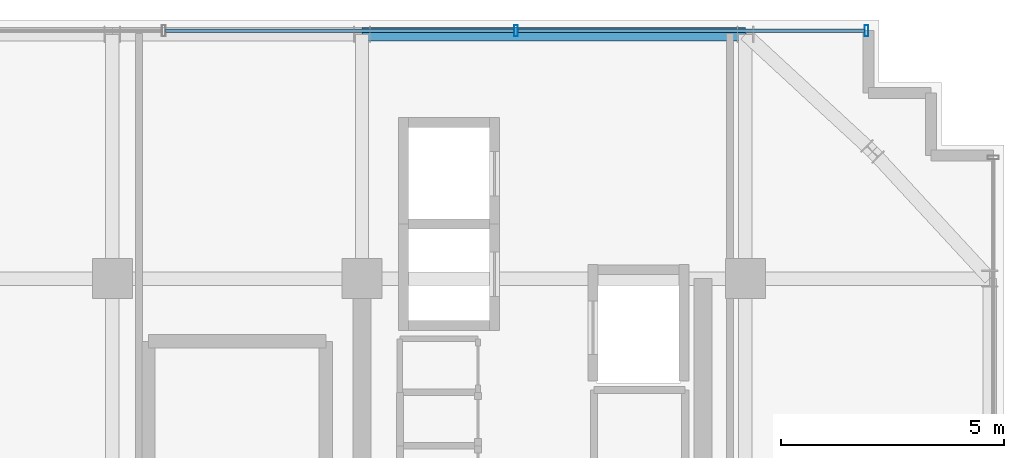
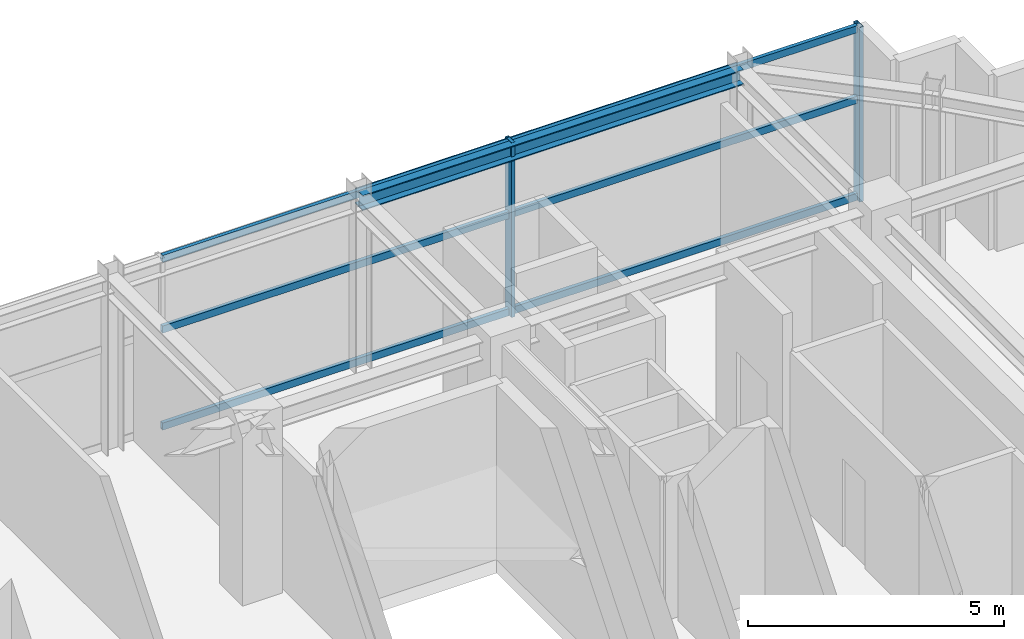
# One storey, part 17 of 25: 8 members, 1 beam, 1 element without a shape of its own.
"""IFC4 building model written with IfcOpenShell, lengths in metres."""

from ifc_helpers import new_model, si_unit, direction, frame, origin, origin_2d, place, context, subcontext, project, spatial, hollow_rectangle, i_section, extrude, source, transform, mapped, material, material_profile, profile_set, type_object, element, aggregate, save


model = new_model("IFC4")

# Units and contexts
model_context = context("Model", 3, precision=1e-05, world=origin(), true_north=direction((0.0, 1.0)))
body_context = subcontext(model_context, "Body", "Model", "MODEL_VIEW")
ifc_project = project(units=[si_unit("LENGTHUNIT", "METRE"), si_unit("AREAUNIT", "SQUARE_METRE"), si_unit("VOLUMEUNIT", "CUBIC_METRE"), si_unit("PLANEANGLEUNIT", "RADIAN"), si_unit("MASSUNIT", "GRAM", prefix="KILO")], contexts=[model_context])

# Site, building, storey
site_placement = place(None, origin())
site = spatial("IfcSite", under=ifc_project, at=site_placement, CompositionType="ELEMENT")
building_placement = place(site_placement, origin())
building = spatial("IfcBuilding", under=site, at=building_placement, Name="Nahalor Promenade Grand Hotel", CompositionType="ELEMENT")
storey_placement = place(building_placement, frame((0.0, 0.0, 338.550048828125)))
storey = spatial("IfcBuildingStorey", under=building, at=storey_placement, Name="L87", CompositionType="ELEMENT", Elevation=338.550048828125)

# Beam
ifc_material_1 = material(Name="Steel S355JR", Category="steel")
ifc_material_profile_1 = material_profile(ifc_material_1, i_section(OverallWidth=0.3, OverallDepth=0.36, WebThickness=0.0125, FlangeThickness=0.0225, at=origin_2d()), Name="HEB 360")
ifc_profile_set_1 = profile_set([ifc_material_profile_1], Name="Steel S355JR")
beam_type = type_object("IfcBeamType", Name="Beam-Spandrel-HEB360", PredefinedType="SPANDREL", material=ifc_profile_set_1)
shared_shape_1 = source(origin(), body_context, "Body", "SweptSolid", [
    extrude(i_section(OverallWidth=0.3, OverallDepth=0.36, WebThickness=0.0125, FlangeThickness=0.0225, at=origin_2d()), origin(), (0.0, 0.0, 1.0), 8.60009765625),
])
beam_placement = place(storey_placement, frame((8.39990234375, 22.47998046875, 3.989990234375), z_axis=(1.0, 0.0, 0.0), x_axis=(0.0, 1.0, 0.0)))
element("IfcBeam", 1, at=beam_placement, inside=storey, type_object=beam_type, Name="BM-L87-SP-N-4", PredefinedType="SPANDREL", context=body_context, shape_type="MappedRepresentation", body=[
    mapped(shared_shape_1, transform((0.0, 0.0, 0.0), scale=1.0)),
])

# Curtain wall, members
ifc_material_2 = material(Name="Anodised Bronze Aluminium EN AW-6063 T6", Category="aluminium")
curtain_wall_type = type_object("IfcCurtainWallType", Name="CW5 Sky-Lobby & Observation Panoramic Curtain Wall", PredefinedType="USERDEFINED", material=ifc_material_2)
curtain_wall_placement = place(storey_placement, origin())
curtain_wall = element("IfcCurtainWall", 2, at=curtain_wall_placement, inside=storey, type_object=curtain_wall_type, Name="L87 Curtain Wall CW-L87-N-1", ObjectType="UNITISED_CURTAIN_WALL", PredefinedType="USERDEFINED")
ifc_material_profile_2 = material_profile(ifc_material_2, hollow_rectangle(XDim=0.085, YDim=0.25, WallThickness=0.006, at=origin_2d()), Name="CWM 85x250x6")
ifc_profile_set_2 = profile_set([ifc_material_profile_2], Name="Anodised Bronze Aluminium EN AW-6063 T6")
member_type_1 = type_object("IfcMemberType", Name="CWM5 Panoramic Deep Mullion 85x250", PredefinedType="MULLION", material=ifc_profile_set_2)
shared_shape_2 = source(origin(), body_context, "Body", "SweptSolid", [
    extrude(hollow_rectangle(XDim=0.085, YDim=0.25, WallThickness=0.006, at=origin_2d()), origin(), (0.0, 0.0, 1.0), 4.169921875),
])
member_1_placement = place(storey_placement, frame((11.85595703125, 22.56005859375, 0.0), z_axis=(0.0, 0.0, 1.0), x_axis=(1.0, 0.0, 0.0)))
member_1 = element("IfcMember", 3, at=member_1_placement, type_object=member_type_1, Name="CW-L87-N-1 Mullion 4", PredefinedType="MULLION", context=body_context, shape_type="MappedRepresentation", body=[
    mapped(shared_shape_2, transform((0.0, 0.0, 0.0), scale=1.0)),
])
member_2_placement = place(storey_placement, frame((19.717529296875, 22.56005859375, 0.0), z_axis=(0.0, 0.0, 1.0), x_axis=(1.0, 0.0, 0.0)))
member_2 = element("IfcMember", 4, at=member_2_placement, type_object=member_type_1, Name="CW-L87-N-1 Mullion 5", PredefinedType="MULLION", context=body_context, shape_type="MappedRepresentation", body=[
    mapped(shared_shape_2, transform((0.0, 0.0, 0.0), scale=1.0)),
])
ifc_material_profile_3 = material_profile(ifc_material_2, hollow_rectangle(XDim=0.085, YDim=0.17, WallThickness=0.005, at=origin_2d()), Name="CWT 85x170x5")
ifc_profile_set_3 = profile_set([ifc_material_profile_3], Name="Anodised Bronze Aluminium EN AW-6063 T6")
member_type_2 = type_object("IfcMemberType", Name="CWT5 Panoramic Transom 85x170", PredefinedType="USERDEFINED", material=ifc_profile_set_3)
shared_shape_3 = source(origin(), body_context, "Body", "SweptSolid", [
    extrude(hollow_rectangle(XDim=0.085, YDim=0.17, WallThickness=0.005, at=origin_2d()), origin(), (0.0, 0.0, 1.0), 7.776611328125),
])
member_3_placement = place(storey_placement, frame((11.8984375, 22.56005859375, 0.0849609375), z_axis=(1.0, 0.0, 0.0), x_axis=(0.0, 1.0, 0.0)))
member_3 = element("IfcMember", 5, at=member_3_placement, type_object=member_type_2, Name="CW-L87-N-1 Transom 4-0", ObjectType="TRANSOM", PredefinedType="USERDEFINED", context=body_context, shape_type="MappedRepresentation", body=[
    mapped(shared_shape_3, transform((0.0, 0.0, 0.0), scale=1.0)),
])
member_4_placement = place(storey_placement, frame((11.8984375, 22.56005859375, 2.39990234375), z_axis=(1.0, 0.0, 0.0), x_axis=(0.0, 1.0, 0.0)))
member_4 = element("IfcMember", 6, at=member_4_placement, type_object=member_type_2, Name="CW-L87-N-1 Transom 4-1", ObjectType="TRANSOM", PredefinedType="USERDEFINED", context=body_context, shape_type="MappedRepresentation", body=[
    mapped(shared_shape_3, transform((0.0, 0.0, 0.0), scale=1.0)),
])
member_5_placement = place(storey_placement, frame((11.8984375, 22.56005859375, 4.0849609375), z_axis=(1.0, 0.0, 0.0), x_axis=(0.0, 1.0, 0.0)))
member_5 = element("IfcMember", 7, at=member_5_placement, type_object=member_type_2, Name="CW-L87-N-1 Transom 4-2", ObjectType="TRANSOM", PredefinedType="USERDEFINED", context=body_context, shape_type="MappedRepresentation", body=[
    mapped(shared_shape_3, transform((0.0, 0.0, 0.0), scale=1.0)),
])
shared_shape_4 = source(origin(), body_context, "Body", "SweptSolid", [
    extrude(hollow_rectangle(XDim=0.085, YDim=0.17, WallThickness=0.005, at=origin_2d()), origin(), (0.0, 0.0, 1.0), 7.819091796875),
])
member_6_placement = place(storey_placement, frame((3.994384765625, 22.56005859375, 0.0849609375), z_axis=(1.0, 0.0, 0.0), x_axis=(0.0, 1.0, 0.0)))
member_6 = element("IfcMember", 8, at=member_6_placement, type_object=member_type_2, Name="CW-L87-N-1 Transom 3-0", ObjectType="TRANSOM", PredefinedType="USERDEFINED", context=body_context, shape_type="MappedRepresentation", body=[
    mapped(shared_shape_4, transform((0.0, 0.0, 0.0), scale=1.0)),
])
member_7_placement = place(storey_placement, frame((3.994384765625, 22.56005859375, 2.39990234375), z_axis=(1.0, 0.0, 0.0), x_axis=(0.0, 1.0, 0.0)))
member_7 = element("IfcMember", 9, at=member_7_placement, type_object=member_type_2, Name="CW-L87-N-1 Transom 3-1", ObjectType="TRANSOM", PredefinedType="USERDEFINED", context=body_context, shape_type="MappedRepresentation", body=[
    mapped(shared_shape_4, transform((0.0, 0.0, 0.0), scale=1.0)),
])
member_8_placement = place(storey_placement, frame((3.994384765625, 22.56005859375, 4.0849609375), z_axis=(1.0, 0.0, 0.0), x_axis=(0.0, 1.0, 0.0)))
member_8 = element("IfcMember", 10, at=member_8_placement, type_object=member_type_2, Name="CW-L87-N-1 Transom 3-2", ObjectType="TRANSOM", PredefinedType="USERDEFINED", context=body_context, shape_type="MappedRepresentation", body=[
    mapped(shared_shape_4, transform((0.0, 0.0, 0.0), scale=1.0)),
])
aggregate(curtain_wall, [member_1, member_2, member_6, member_7, member_8, member_3, member_4, member_5])

save(model, "model.ifc")
